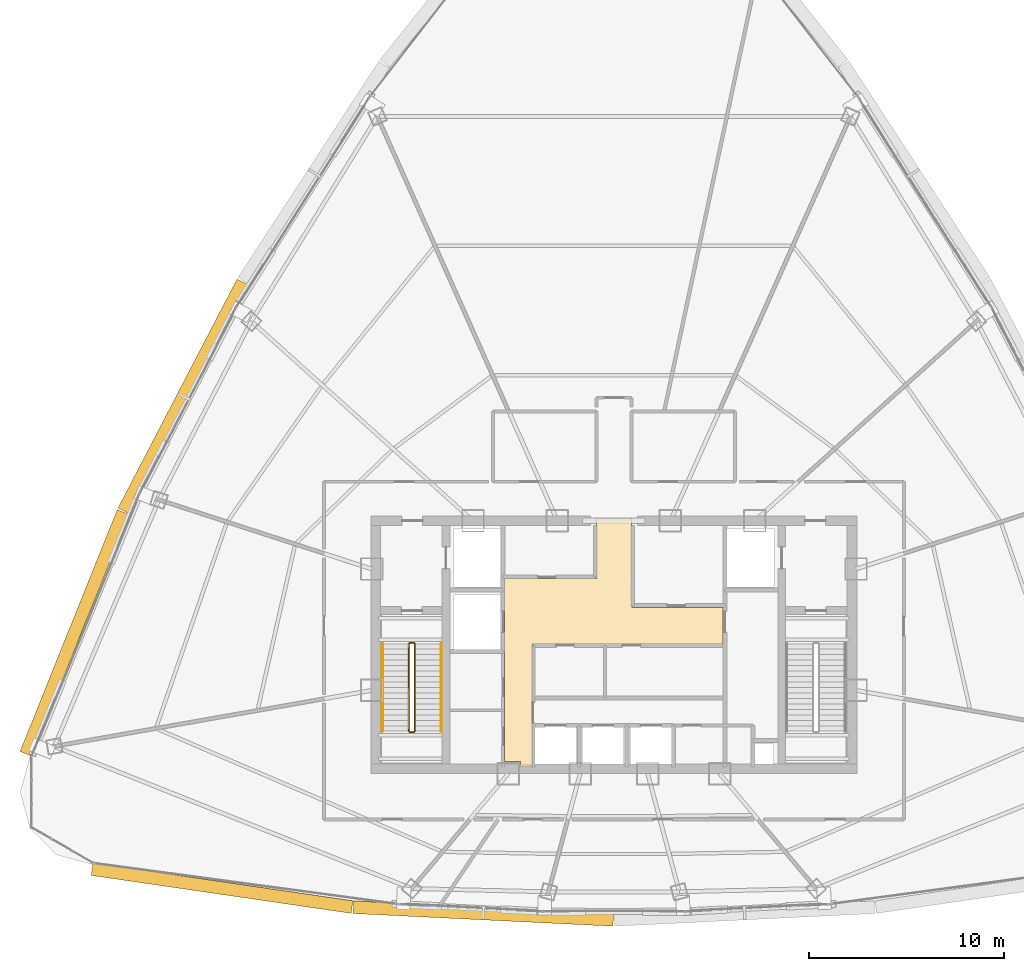
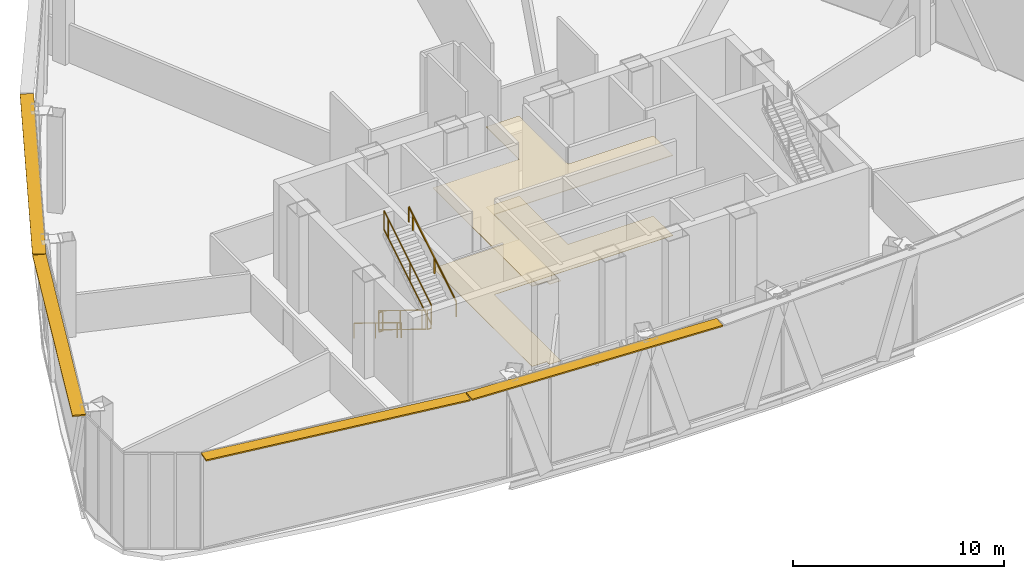
# One storey, part 31 of 33: 6 railings, 4 shading devices, 2 coverings.
"""IFC4 building model written with IfcOpenShell, lengths in metres."""

from ifc_helpers import new_model, si_unit, direction, frame, origin, origin_2d, place, context, subcontext, project, spatial, polyline, rectangle, outline, extrude, source, transform, mapped, material, layer, layer_set, type_object, element, save


model = new_model("IFC4")

# Units and contexts
model_context = context("Model", 3, precision=1e-05, world=origin(), true_north=direction((0.0, 1.0)))
body_context = subcontext(model_context, "Body", "Model", "MODEL_VIEW")
ifc_project = project(units=[si_unit("LENGTHUNIT", "METRE"), si_unit("AREAUNIT", "SQUARE_METRE"), si_unit("VOLUMEUNIT", "CUBIC_METRE"), si_unit("PLANEANGLEUNIT", "RADIAN"), si_unit("MASSUNIT", "GRAM", prefix="KILO"), si_unit("THERMODYNAMICTEMPERATUREUNIT", "KELVIN"), si_unit("POWERUNIT", "WATT")], contexts=[model_context])

# Site, building, storey
site_placement = place(None, origin())
site = spatial("IfcSite", under=ifc_project, at=site_placement, CompositionType="ELEMENT")
building_placement = place(site_placement, origin())
building = spatial("IfcBuilding", under=site, at=building_placement, Name="Yunzhuo Pagoda Commons", CompositionType="ELEMENT")
storey_placement = place(building_placement, frame((0.0, 0.0, 314.860107421875)))
storey = spatial("IfcBuildingStorey", under=building, at=storey_placement, Name="L79", CompositionType="ELEMENT", Elevation=314.860107421875)

# Coverings
ifc_material_1 = material(Name="Micro-perforated metal baffle ceiling")
ifc_layer_1 = layer(ifc_material_1, 0.034912109375)
ifc_layer_set_1 = layer_set([ifc_layer_1], Name="Micro-perforated metal baffle ceiling")
covering_type_1 = type_object("IfcCoveringType", Name="COV-CL3 Ceiling 35", PredefinedType="CEILING", material=ifc_layer_set_1)
covering_1_placement = place(storey_placement, frame((0.0, 0.0, 4.619873046875)))
element("IfcCovering", 1, at=covering_1_placement, inside=storey, type_object=covering_type_1, Name="L79 lift lobby acoustic ceiling", PredefinedType="CEILING", context=body_context, shape_type="SweptSolid", body=[
    extrude(outline(polyline([(42.39990234375, 37.25), (47.10009765625, 37.25), (47.10009765625, 40.35009765625), (48.89990234375, 40.35009765625), (48.89990234375, 37.25), (48.919921875, 37.25), (48.919921875, 35.75), (53.580078125, 35.75), (53.580078125, 33.89990234375), (43.820068359375, 33.89990234375), (43.820068359375, 27.60009765625), (43.207763671875, 27.60009765625), (43.207763671875, 27.85009765625), (43.201904296875, 27.864013671875), (43.187744140625, 27.8701171875), (42.39990234375, 27.8701171875), (42.39990234375, 33.89990234375), (42.39990234375, 37.25)])), origin(), (0.0, 0.0, 1.0), 0.034912109375),
])
ifc_material_2 = material(Name="Resilient acoustic studio flooring")
ifc_layer_2 = layer(ifc_material_2, 0.01806640625)
ifc_layer_set_2 = layer_set([ifc_layer_2], Name="Resilient acoustic studio flooring")
covering_type_2 = type_object("IfcCoveringType", Name="COV-FL3 Flooring 18", PredefinedType="FLOORING", material=ifc_layer_set_2)
covering_2_placement = place(storey_placement, origin())
element("IfcCovering", 2, at=covering_2_placement, inside=storey, type_object=covering_type_2, Name="L79 lift lobby flooring", PredefinedType="FLOORING", context=body_context, shape_type="SweptSolid", body=[
    extrude(outline(polyline([(42.39990234375, 37.25), (47.10009765625, 37.25), (47.10009765625, 40.35009765625), (48.89990234375, 40.35009765625), (48.89990234375, 37.25), (48.919921875, 37.25), (48.919921875, 35.75), (53.580078125, 35.75), (53.580078125, 33.89990234375), (43.820068359375, 33.89990234375), (43.820068359375, 27.60009765625), (43.207763671875, 27.60009765625), (43.207763671875, 27.85009765625), (43.201904296875, 27.864013671875), (43.187744140625, 27.8701171875), (42.39990234375, 27.8701171875), (42.39990234375, 33.89990234375), (42.39990234375, 37.25)])), origin(), (0.0, 0.0, 1.0), 0.017822265625),
])

# Railings
ifc_material_3 = material(Name="Anodized aluminium 6063-T6", Category="aluminium")
railing_type_1 = type_object("IfcRailingType", Name="GR-ST1 Stair Well Guardrail 1150", PredefinedType="GUARDRAIL", material=ifc_material_3)
railing_1_placement = place(storey_placement, frame((37.5, 33.89990234375, 0.171875)))
element("IfcRailing", 3, at=railing_1_placement, inside=storey, type_object=railing_type_1, Name="L79 ST1 stair guard 1", PredefinedType="GUARDRAIL", context=body_context, shape_type="SweptSolid", body=[
    extrude(rectangle(XDim=0.048095703125, YDim=0.048095703125, at=origin_2d()), frame((0.0, 0.0, 1.1259765625), z_axis=(0.0, -0.851996104429, 0.523548123899), x_axis=(1.0, 0.0, 0.0)), (0.0, 0.0, 1.0), 5.25830078125),
    extrude(rectangle(XDim=0.048095703125, YDim=0.048095703125, at=origin_2d()), frame((0.0, 0.0, 0.02392578125), z_axis=(0.0, -0.851996104429, 0.523548123899), x_axis=(1.0, 0.0, 0.0)), (0.0, 0.0, 1.0), 5.25830078125),
    extrude(rectangle(XDim=0.0419921875, YDim=0.0419921875, at=origin_2d()), origin(), (0.0, 0.0, 1.0), 1.101806640625),
    extrude(rectangle(XDim=0.0419921875, YDim=0.0419921875, at=origin_2d()), frame((0.0, -2.044677734375, 1.256591796875)), (0.0, 0.0, 1.0), 1.101806640625),
    extrude(rectangle(XDim=0.0419921875, YDim=0.0419921875, at=origin_2d()), frame((0.0, -4.089599609375, 2.512939453125)), (0.0, 0.0, 1.0), 1.101806640625),
    extrude(rectangle(XDim=0.0419921875, YDim=0.0419921875, at=origin_2d()), frame((0.0, -4.47998046875, 2.7529296875)), (0.0, 0.0, 1.0), 1.101806640625),
])
railing_2_placement = place(storey_placement, frame((37.550048828125, 29.3701171875, 2.9248046875)))
element("IfcRailing", 4, at=railing_2_placement, inside=storey, type_object=railing_type_1, Name="L79 ST1 stair guard 2", PredefinedType="GUARDRAIL", context=body_context, shape_type="SweptSolid", body=[
    extrude(rectangle(XDim=0.048095703125, YDim=0.048095703125, at=origin_2d()), frame((0.0, 0.0, 1.1259765625), z_axis=(1.0, 0.0, 0.0), x_axis=(0.0, 1.0, 0.0)), (0.0, 0.0, 1.0), 0.199951171875),
    extrude(rectangle(XDim=0.048095703125, YDim=0.048095703125, at=origin_2d()), frame((0.0, 0.0, 0.02392578125), z_axis=(1.0, 0.0, 0.0), x_axis=(0.0, 1.0, 0.0)), (0.0, 0.0, 1.0), 0.199951171875),
    extrude(rectangle(XDim=0.0419921875, YDim=0.0419921875, at=origin_2d()), origin(), (0.0, 0.0, 1.0), 1.101806640625),
    extrude(rectangle(XDim=0.0419921875, YDim=0.0419921875, at=origin_2d()), frame((0.199951171875, 0.0, 0.0)), (0.0, 0.0, 1.0), 1.101806640625),
])
railing_3_placement = place(storey_placement, frame((37.800048828125, 29.419921875, 3.096923828125)))
element("IfcRailing", 5, at=railing_3_placement, inside=storey, type_object=railing_type_1, Name="L79 ST1 stair guard 3", PredefinedType="GUARDRAIL", context=body_context, shape_type="SweptSolid", body=[
    extrude(rectangle(XDim=0.048095703125, YDim=0.048095703125, at=origin_2d()), frame((0.0, 0.0, 1.1259765625), z_axis=(0.0, 0.851996104429, 0.523548123899), x_axis=(-1.0, 0.0, 0.0)), (0.0, 0.0, 1.0), 5.25830078125),
    extrude(rectangle(XDim=0.048095703125, YDim=0.048095703125, at=origin_2d()), frame((0.0, 0.0, 0.02392578125), z_axis=(0.0, 0.851996104429, 0.523548123899), x_axis=(-1.0, 0.0, 0.0)), (0.0, 0.0, 1.0), 5.25830078125),
    extrude(rectangle(XDim=0.0419921875, YDim=0.0419921875, at=origin_2d()), origin(), (0.0, 0.0, 1.0), 1.101806640625),
    extrude(rectangle(XDim=0.0419921875, YDim=0.0419921875, at=origin_2d()), frame((0.0, 2.044677734375, 1.256591796875)), (0.0, 0.0, 1.0), 1.101806640625),
    extrude(rectangle(XDim=0.0419921875, YDim=0.0419921875, at=origin_2d()), frame((0.0, 4.089599609375, 2.512939453125)), (0.0, 0.0, 1.0), 1.101806640625),
    extrude(rectangle(XDim=0.0419921875, YDim=0.0419921875, at=origin_2d()), frame((0.0, 4.47998046875, 2.7529296875)), (0.0, 0.0, 1.0), 1.101806640625),
])
railing_4_placement = place(storey_placement, frame((37.550048828125, 33.949951171875, 0.0)))
element("IfcRailing", 6, at=railing_4_placement, inside=storey, type_object=railing_type_1, Name="L79 ST1 stair guard 4", PredefinedType="GUARDRAIL", context=body_context, shape_type="SweptSolid", body=[
    extrude(rectangle(XDim=0.048095703125, YDim=0.048095703125, at=origin_2d()), frame((0.0, 0.0, 1.1259765625), z_axis=(1.0, 0.0, 0.0), x_axis=(0.0, 1.0, 0.0)), (0.0, 0.0, 1.0), 0.199951171875),
    extrude(rectangle(XDim=0.048095703125, YDim=0.048095703125, at=origin_2d()), frame((0.0, 0.0, 0.02392578125), z_axis=(1.0, 0.0, 0.0), x_axis=(0.0, 1.0, 0.0)), (0.0, 0.0, 1.0), 0.199951171875),
    extrude(rectangle(XDim=0.0419921875, YDim=0.0419921875, at=origin_2d()), origin(), (0.0, 0.0, 1.0), 1.101806640625),
    extrude(rectangle(XDim=0.0419921875, YDim=0.0419921875, at=origin_2d()), frame((0.199951171875, 0.0, 0.0)), (0.0, 0.0, 1.0), 1.101806640625),
])
railing_type_2 = type_object("IfcRailingType", Name="HR-ST1 Stair Handrail 900", PredefinedType="HANDRAIL", material=ifc_material_3)
railing_5_placement = place(storey_placement, frame((36.14990234375, 33.89990234375, 0.171875)))
element("IfcRailing", 7, at=railing_5_placement, inside=storey, type_object=railing_type_2, Name="L79 ST1 stair handrail 1", PredefinedType="HANDRAIL", context=body_context, shape_type="SweptSolid", body=[
    extrude(rectangle(XDim=0.048095703125, YDim=0.048095703125, at=origin_2d()), frame((0.0, 0.0, 0.8759765625), z_axis=(0.0, -0.851996104429, 0.523548123899), x_axis=(1.0, 0.0, 0.0)), (0.0, 0.0, 1.0), 5.25830078125),
    extrude(rectangle(XDim=0.0419921875, YDim=0.0419921875, at=origin_2d()), origin(), (0.0, 0.0, 1.0), 0.851806640625),
    extrude(rectangle(XDim=0.0419921875, YDim=0.0419921875, at=origin_2d()), frame((0.0, -2.044677734375, 1.256591796875)), (0.0, 0.0, 1.0), 0.851806640625),
    extrude(rectangle(XDim=0.0419921875, YDim=0.0419921875, at=origin_2d()), frame((0.0, -4.089599609375, 2.512939453125)), (0.0, 0.0, 1.0), 0.851806640625),
    extrude(rectangle(XDim=0.0419921875, YDim=0.0419921875, at=origin_2d()), frame((0.0, -4.47998046875, 2.7529296875)), (0.0, 0.0, 1.0), 0.851806640625),
])
railing_6_placement = place(storey_placement, frame((39.14990234375, 29.419921875, 3.096923828125)))
element("IfcRailing", 8, at=railing_6_placement, inside=storey, type_object=railing_type_2, Name="L79 ST1 stair handrail 2", PredefinedType="HANDRAIL", context=body_context, shape_type="SweptSolid", body=[
    extrude(rectangle(XDim=0.048095703125, YDim=0.048095703125, at=origin_2d()), frame((0.0, 0.0, 0.8759765625), z_axis=(0.0, 0.851996104429, 0.523548123899), x_axis=(-1.0, 0.0, 0.0)), (0.0, 0.0, 1.0), 5.25830078125),
    extrude(rectangle(XDim=0.0419921875, YDim=0.0419921875, at=origin_2d()), origin(), (0.0, 0.0, 1.0), 0.851806640625),
    extrude(rectangle(XDim=0.0419921875, YDim=0.0419921875, at=origin_2d()), frame((0.0, 2.044677734375, 1.256591796875)), (0.0, 0.0, 1.0), 0.851806640625),
    extrude(rectangle(XDim=0.0419921875, YDim=0.0419921875, at=origin_2d()), frame((0.0, 4.089599609375, 2.512939453125)), (0.0, 0.0, 1.0), 0.851806640625),
    extrude(rectangle(XDim=0.0419921875, YDim=0.0419921875, at=origin_2d()), frame((0.0, 4.47998046875, 2.7529296875)), (0.0, 0.0, 1.0), 0.851806640625),
])

# Shading devices
ifc_layer_3 = layer(ifc_material_3, 0.080078125)
ifc_layer_set_3 = layer_set([ifc_layer_3], Name="Anodized aluminium 6063-T6")
shading_device_type = type_object("IfcShadingDeviceType", Name="SH-SUN1 Pagoda Horizontal Sunshade Eave 650", PredefinedType="USERDEFINED", material=ifc_layer_set_3)
shared_shape_1 = source(origin(), body_context, "Body", "SweptSolid", [
    extrude(rectangle(XDim=13.458251953125, YDim=0.64990234375, at=origin_2d()), origin(), (0.0, 0.0, 1.0), 0.080078125),
])
shading_device_1_placement = place(storey_placement, frame((27.93017578125, 21.38330078125, 5.48974609375), z_axis=(0.0, 0.0, 1.0), x_axis=(0.989510666697, -0.144459823108, 0.0)))
element("IfcShadingDevice", 9, at=shading_device_1_placement, inside=storey, type_object=shading_device_type, Name="L79 horizontal pagoda sunshade eave F1.1", ObjectType="SUNSHADE", PredefinedType="USERDEFINED", context=body_context, shape_type="MappedRepresentation", body=[
    mapped(shared_shape_1, transform((0.0, 0.0, 0.0), scale=1.0)),
])
shared_shape_2 = source(origin(), body_context, "Body", "SweptSolid", [
    extrude(rectangle(XDim=13.33251953125, YDim=0.64990234375, at=origin_2d()), origin(), (0.0, 0.0, 1.0), 0.080078125),
])
shading_device_2_placement = place(storey_placement, frame((41.309814453125, 20.081298828125, 5.48974609375), z_axis=(0.0, 0.0, 1.0), x_axis=(0.998818043775, -0.04860571396, 0.0)))
element("IfcShadingDevice", 10, at=shading_device_2_placement, inside=storey, type_object=shading_device_type, Name="L79 horizontal pagoda sunshade eave F1.2", ObjectType="SUNSHADE", PredefinedType="USERDEFINED", context=body_context, shape_type="MappedRepresentation", body=[
    mapped(shared_shape_2, transform((0.0, 0.0, 0.0), scale=1.0)),
])
shared_shape_3 = source(origin(), body_context, "Body", "SweptSolid", [
    extrude(rectangle(XDim=13.35009765625, YDim=0.64990234375, at=origin_2d()), origin(), (0.0, 0.0, 1.0), 0.080078125),
])
shading_device_3_placement = place(storey_placement, frame((20.370361328125, 34.454345703125, 5.48974609375), z_axis=(0.0, 0.0, 1.0), x_axis=(-0.372987782576, -0.927836253899, 0.0)))
element("IfcShadingDevice", 11, at=shading_device_3_placement, inside=storey, type_object=shading_device_type, Name="L79 horizontal pagoda sunshade eave F3.4", ObjectType="SUNSHADE", PredefinedType="USERDEFINED", context=body_context, shape_type="MappedRepresentation", body=[
    mapped(shared_shape_3, transform((0.0, 0.0, 0.0), scale=1.0)),
])
shared_shape_4 = source(origin(), body_context, "Body", "SweptSolid", [
    extrude(rectangle(XDim=13.223388671875, YDim=0.64990234375, at=origin_2d()), origin(), (0.0, 0.0, 1.0), 0.080078125),
])
shading_device_4_placement = place(storey_placement, frame((25.935791015625, 46.571533203125, 5.48974609375), z_axis=(0.0, 0.0, 1.0), x_axis=(-0.461206683033, -0.88729273384, 0.0)))
element("IfcShadingDevice", 12, at=shading_device_4_placement, inside=storey, type_object=shading_device_type, Name="L79 horizontal pagoda sunshade eave F3.3", ObjectType="SUNSHADE", PredefinedType="USERDEFINED", context=body_context, shape_type="MappedRepresentation", body=[
    mapped(shared_shape_4, transform((0.0, 0.0, 0.0), scale=1.0)),
])

save(model, "model.ifc")
